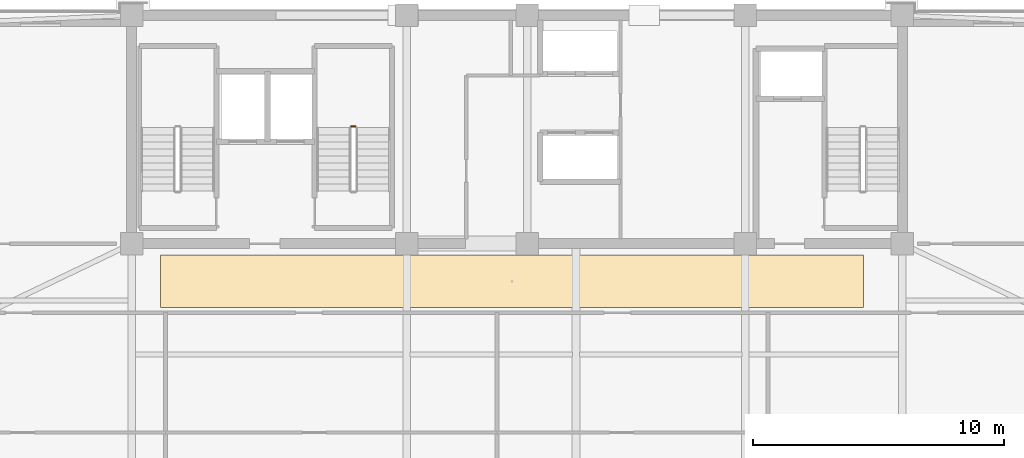
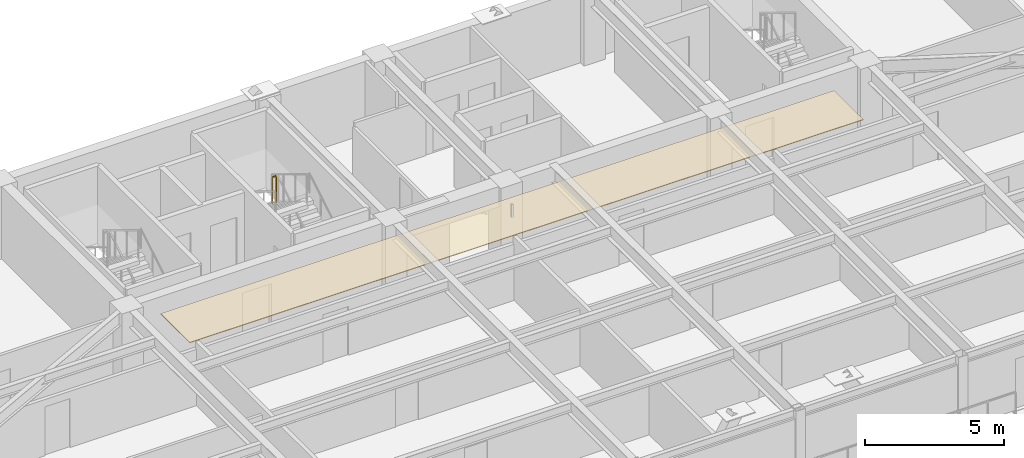
# One storey, part 12 of 13: 1 covering, 1 railing.
"""IFC4 building model written with IfcOpenShell, lengths in metres."""

from ifc_helpers import new_model, si_unit, direction, frame, origin, origin_2d, place, context, subcontext, project, spatial, polyline, rectangle, outline, extrude, material, layer, layer_set, type_object, element, save


model = new_model("IFC4")

# Units and contexts
model_context = context("Model", 3, precision=1e-05, world=origin(), true_north=direction((0.0, 1.0)))
body_context = subcontext(model_context, "Body", "Model", "MODEL_VIEW")
ifc_project = project(units=[si_unit("LENGTHUNIT", "METRE"), si_unit("AREAUNIT", "SQUARE_METRE"), si_unit("VOLUMEUNIT", "CUBIC_METRE"), si_unit("PLANEANGLEUNIT", "RADIAN"), si_unit("MASSUNIT", "GRAM", prefix="KILO")], contexts=[model_context])

# Site, building, storey
site_placement = place(None, origin())
site = spatial("IfcSite", under=ifc_project, at=site_placement, CompositionType="ELEMENT")
building_placement = place(site_placement, origin())
building = spatial("IfcBuilding", under=site, at=building_placement, Name="Giltprow Tower", CompositionType="ELEMENT")
storey_placement = place(building_placement, frame((0.0, 0.0, 307.39990234375)))
storey = spatial("IfcBuildingStorey", under=building, at=storey_placement, Name="L79", CompositionType="ELEMENT", Elevation=307.39990234375)

# Covering
ifc_material_1 = material(Name="Painted gypsum board", Category="gypsum")
ifc_layer = layer(ifc_material_1, 0.030029296875, Name="Painted gypsum board")
ifc_layer_set = layer_set([ifc_layer], Name="Painted gypsum board")
covering_type = type_object("IfcCoveringType", Name="COV-CLG-GYPSUM", PredefinedType="CEILING", material=ifc_layer_set)
covering_placement = place(storey_placement, frame((0.0, 0.0, 2.6201171875)))
element("IfcCovering", 1, at=covering_placement, inside=storey, type_object=covering_type, Name="L79 Residence Gallery Ceiling", PredefinedType="CEILING", context=body_context, shape_type="SweptSolid", body=[
    extrude(outline(polyline([(21.0, 34.89990234375), (49.0, 34.89990234375), (49.0, 37.0), (21.0, 37.0), (21.0, 34.89990234375)])), origin(), (0.0, 0.0, 1.0), 0.030029296875),
])

# Railing
ifc_material_2 = material(Name="Anodized bronze", Category="metal")
railing_type = type_object("IfcRailingType", Name="RAIL-STAIR-GUARD-1200", PredefinedType="GUARDRAIL", material=ifc_material_2)
railing_placement = place(storey_placement, frame((28.760009765625, 42.1201171875, 1.7001953125)))
element("IfcRailing", 2, at=railing_placement, inside=storey, type_object=railing_type, Name="L79 ST-2 stair guard 2", PredefinedType="GUARDRAIL", context=body_context, shape_type="SweptSolid", body=[
    extrude(rectangle(XDim=0.048095703125, YDim=0.048095703125, at=origin_2d()), frame((0.0, 0.0, 1.17578125), z_axis=(-1.0, 0.0, 0.0), x_axis=(0.0, -1.0, 0.0)), (0.0, 0.0, 1.0), 0.159912109375),
    extrude(rectangle(XDim=0.0419921875, YDim=0.0419921875, at=origin_2d()), origin(), (0.0, 0.0, 1.0), 1.15185546875),
    extrude(rectangle(XDim=0.0419921875, YDim=0.0419921875, at=origin_2d()), frame((-0.159912109375, 0.0, 0.0)), (0.0, 0.0, 1.0), 1.15185546875),
])

save(model, "model.ifc")
